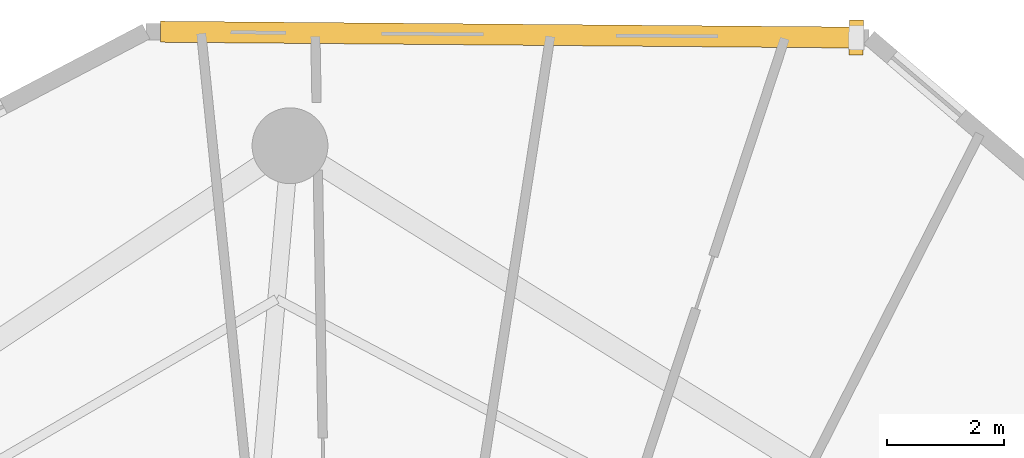
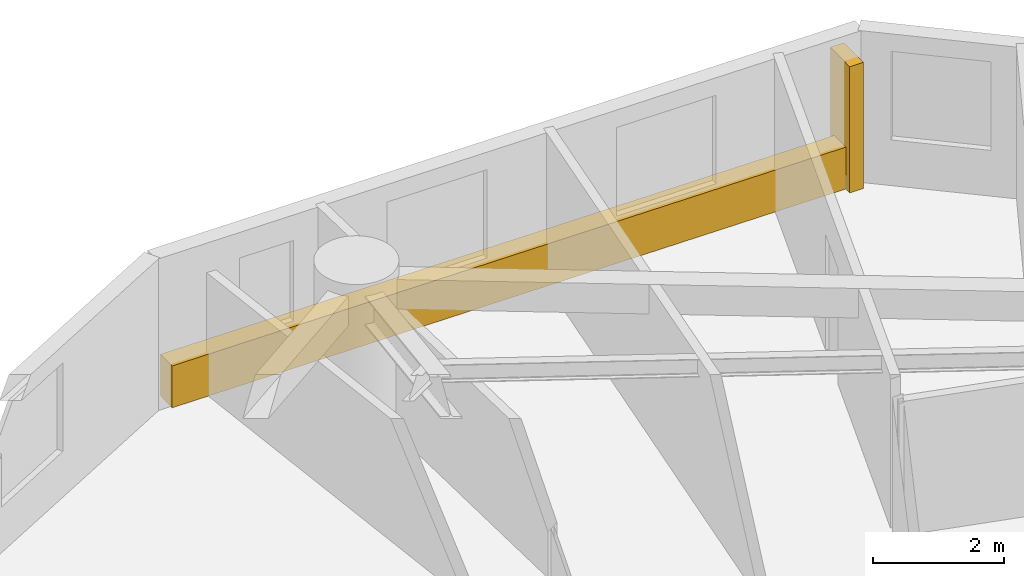
# One storey, part 10 of 10: 1 covering, 1 shading device.
"""IFC4 building model written with IfcOpenShell, lengths in metres."""

from ifc_helpers import new_model, si_unit, direction, frame, origin, origin_with_axes, origin_2d, place, context, subcontext, project, spatial, rectangle, extrude, source, transform, mapped, material, layer, layer_set, type_object, element, save


model = new_model("IFC4")

# Units and contexts
model_context = context("Model", 3, precision=1e-05, world=origin(), true_north=direction((0.0, 1.0)))
body_context = subcontext(model_context, "Body", "Model", "MODEL_VIEW")
ifc_project = project(units=[si_unit("LENGTHUNIT", "METRE"), si_unit("AREAUNIT", "SQUARE_METRE"), si_unit("VOLUMEUNIT", "CUBIC_METRE"), si_unit("PLANEANGLEUNIT", "RADIAN"), si_unit("MASSUNIT", "GRAM", prefix="KILO")], contexts=[model_context])

# Site, building, storey
site_placement = place(None, origin())
site = spatial("IfcSite", under=ifc_project, at=site_placement, CompositionType="ELEMENT")
building_placement = place(site_placement, origin())
building = spatial("IfcBuilding", under=site, at=building_placement, Name="Karkom Vertical University and Central Library", CompositionType="ELEMENT")
storey_placement = place(building_placement, frame((0.0, 0.0, 171.800048828125)))
storey = spatial("IfcBuildingStorey", under=building, at=storey_placement, Name="L49", CompositionType="ELEMENT", Elevation=171.800048828125)

# Shading device
ifc_material_1 = material(Name="Terracotta-clad precast concrete sun-breaker fin C45/55", Category="masonry")
shading_device_type = type_object("IfcShadingDeviceType", Name="ENV-SHD-BRISE", PredefinedType="USERDEFINED", material=ifc_material_1)
shared_shape_1 = source(origin_with_axes(), body_context, "Body", "SweptSolid", [
    extrude(rectangle(XDim=0.239990234375, YDim=0.60009765625, at=origin_2d()), origin(), (0.0, 0.0, 1.0), 2.35009765625),
])
shading_device_placement = place(storey_placement, frame((37.411376953125, 49.70556640625, 0.0), z_axis=(0.0, 0.0, 1.0), x_axis=(-0.999964908278, 0.008377482415, 0.0)))
element("IfcShadingDevice", 1, at=shading_device_placement, inside=storey, type_object=shading_device_type, Name="Level 49 Brutalist Brise-Soleil Fin 09", ObjectType="BRISE SOLEIL", PredefinedType="USERDEFINED", context=body_context, shape_type="MappedRepresentation", body=[
    mapped(shared_shape_1, transform((0.0, 0.0, 0.0), scale=1.0)),
])

# Covering
ifc_material_2 = material(Name="Hand-pressed red-ochre terracotta brick slip cladding", Category="masonry")
ifc_layer = layer(ifc_material_2, 0.090087890625)
ifc_layer_set = layer_set([ifc_layer], Name="Hand-pressed red-ochre terracotta brick slip cladding")
covering_type = type_object("IfcCoveringType", Name="ENV-COV-CLAD", PredefinedType="CLADDING", material=ifc_layer_set)
shared_shape_2 = source(origin_with_axes(), body_context, "Body", "SweptSolid", [
    extrude(rectangle(XDim=11.89990234375, YDim=0.360107421875, at=origin_2d()), origin(), (0.0, 0.0, 1.0), 0.780029296875),
])
covering_placement = place(storey_placement, frame((31.431640625, 49.755859375, 0.0), z_axis=(0.0, 0.0, 1.0), x_axis=(-0.999964908278, 0.008377482415, 0.0)))
element("IfcCovering", 2, at=covering_placement, inside=storey, type_object=covering_type, Name="Level 49 Terracotta Spandrel Cladding 09", PredefinedType="CLADDING", context=body_context, shape_type="MappedRepresentation", body=[
    mapped(shared_shape_2, transform((0.0, 0.0, 0.0), scale=1.0)),
])

save(model, "model.ifc")
